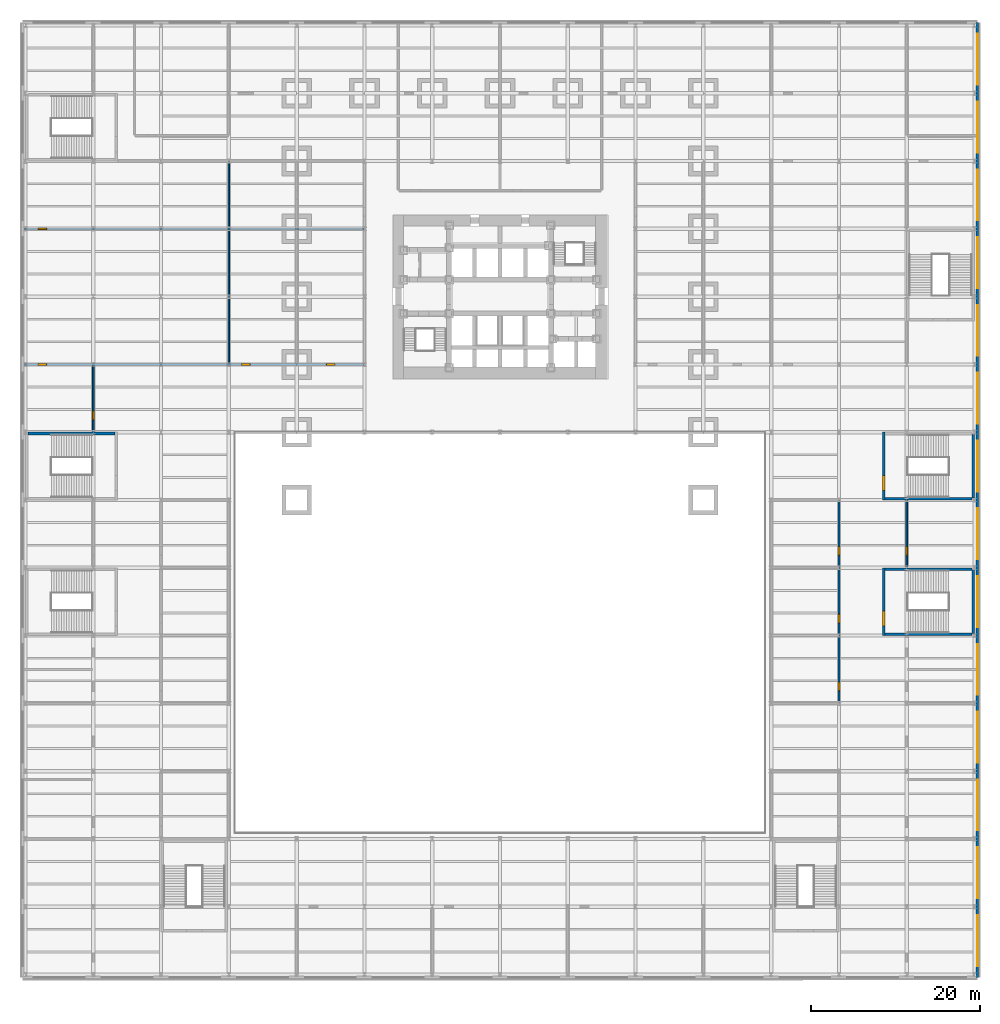
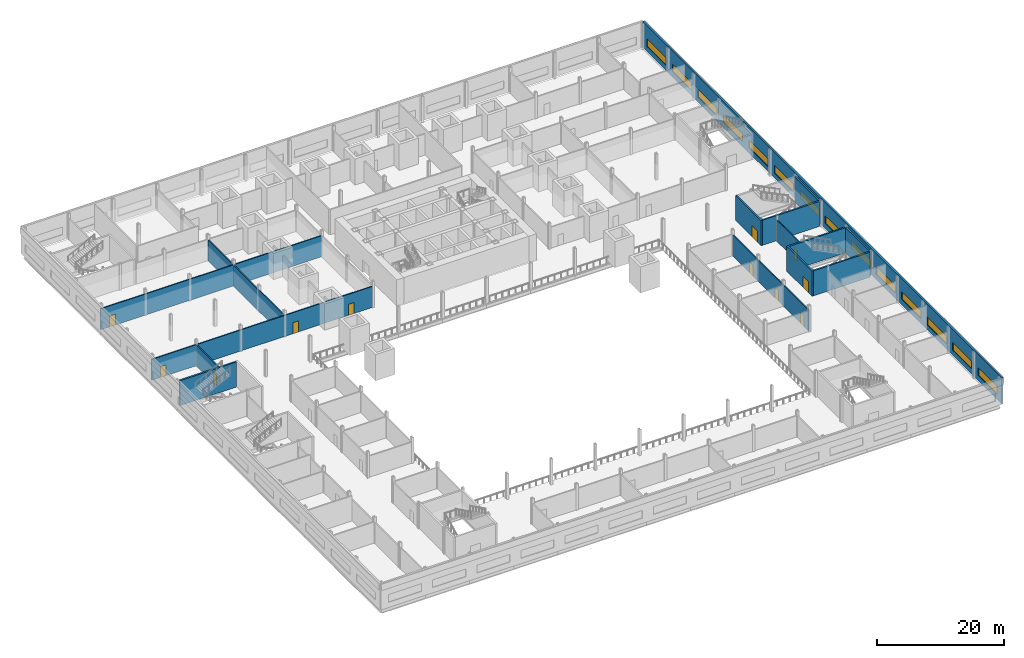
# One storey, part 10 of 18: 15 walls, 14 windows, 11 doors, 25 openings.
"""IFC4 building model written with IfcOpenShell, lengths in metres."""

from ifc_helpers import new_model, si_unit, direction, frame, frame_2d, origin, place, context, subcontext, project, spatial, rectangle, extrude, material, layer, layer_set, type_object, element, fill, save


model = new_model("IFC4")

# Units and contexts
model_context = context("Model", 3, precision=1e-05, world=origin(), true_north=direction((0.0, 1.0)))
body_context = subcontext(model_context, "Body", "Model", "MODEL_VIEW")
ifc_project = project(units=[si_unit("LENGTHUNIT", "METRE"), si_unit("AREAUNIT", "SQUARE_METRE"), si_unit("VOLUMEUNIT", "CUBIC_METRE"), si_unit("PLANEANGLEUNIT", "RADIAN"), si_unit("MASSUNIT", "GRAM", prefix="KILO")], contexts=[model_context])

# Site, building, storey
site_placement = place(None, origin())
site = spatial("IfcSite", under=ifc_project, at=site_placement, CompositionType="ELEMENT")
building_placement = place(site_placement, origin())
building = spatial("IfcBuilding", under=site, at=building_placement, Name="Daluyong Arena Tower", CompositionType="ELEMENT")
storey_placement = place(building_placement, frame((0.0, 0.0, 4.89990234375)))
storey = spatial("IfcBuildingStorey", under=building, at=storey_placement, Name="L01", CompositionType="ELEMENT", Elevation=4.89990234375)

# Wall, openings, doors
ifc_material_1 = material(Name="Concrete block partition", Category="concrete")
ifc_layer_1 = layer(ifc_material_1, 0.199951171875)
ifc_layer_set_1 = layer_set([ifc_layer_1], Name="Concrete block partition")
wall_type_1 = type_object("IfcWallType", Name="Partition 200", PredefinedType="PARTITIONING", material=ifc_layer_set_1)
wall_1_placement = place(storey_placement, frame((-0.14990234375, 72.0, 0.0), z_axis=(0.0, 0.0, 1.0), x_axis=(1.0, 0.0, 0.0)))
wall_1 = element("IfcWall", 1, at=wall_1_placement, inside=storey, type_object=wall_type_1, Name="partition at L01", PredefinedType="PARTITIONING", context=body_context, shape_type="SweptSolid", body=[
    extrude(rectangle(XDim=40.0498046875, YDim=0.199951171875, at=frame_2d((20.02490234375, 0.0))), origin(), (0.0, 0.0, 1.0), 4.02783203125),
])
opening_1_placement = place(wall_1_placement, frame((1.64990234375, 0.0, 0.0)))
opening_1 = element("IfcOpeningElement", 2, at=opening_1_placement, cuts=wall_1, Name="Opening 01047", PredefinedType="OPENING", context=body_context, shape_type="SweptSolid", body=[
    extrude(rectangle(XDim=1.0, YDim=2.10009765625, at=frame_2d((0.5, 1.050048828125))), frame((0.0, 0.10986328125, 0.0), z_axis=(0.0, -1.0, 0.0), x_axis=(1.0, 0.0, 0.0)), (0.0, 0.0, 1.0), 0.219970703125),
])
opening_2_placement = place(wall_1_placement, frame((25.64990234375, 0.0, 0.0)))
opening_2 = element("IfcOpeningElement", 3, at=opening_2_placement, cuts=wall_1, Name="Opening 01049", PredefinedType="OPENING", context=body_context, shape_type="SweptSolid", body=[
    extrude(rectangle(XDim=1.0, YDim=2.10009765625, at=frame_2d((0.5, 1.050048828125))), frame((0.0, 0.10986328125, 0.0), z_axis=(0.0, -1.0, 0.0), x_axis=(1.0, 0.0, 0.0)), (0.0, 0.0, 1.0), 0.219970703125),
])
opening_3_placement = place(wall_1_placement, frame((35.64990234375, 0.0, 0.0)))
opening_3 = element("IfcOpeningElement", 4, at=opening_3_placement, cuts=wall_1, Name="Opening 01050", PredefinedType="OPENING", context=body_context, shape_type="SweptSolid", body=[
    extrude(rectangle(XDim=1.0, YDim=2.10009765625, at=frame_2d((0.5, 1.050048828125))), frame((0.0, 0.10986328125, 0.0), z_axis=(0.0, -1.0, 0.0), x_axis=(1.0, 0.0, 0.0)), (0.0, 0.0, 1.0), 0.219970703125),
])
ifc_material_2 = material(Name="Timber door", Category="wood")
door_type_1 = type_object("IfcDoorType", Name="Room door 1000", OperationType="SINGLE_SWING_LEFT", PredefinedType="DOOR", material=ifc_material_2)
door_1_placement = place(opening_1_placement, origin())
door_1 = element("IfcDoor", 5, at=door_1_placement, inside=storey, type_object=door_type_1, Name="arena management office door 01047", OperationType="SINGLE_SWING_LEFT", OverallHeight=2.10009765625, OverallWidth=1.0, PredefinedType="DOOR", context=body_context, shape_type="SweptSolid", body=[
    extrude(rectangle(XDim=1.0, YDim=2.10009765625, at=frame_2d((0.5, 1.050048828125))), frame((0.0, 0.099609375, 0.0), z_axis=(0.0, -1.0, 0.0), x_axis=(1.0, 0.0, 0.0)), (0.0, 0.0, 1.0), 0.199462890625),
])
fill(opening_1, door_1)
door_2_placement = place(opening_2_placement, origin())
door_2 = element("IfcDoor", 6, at=door_2_placement, inside=storey, type_object=door_type_1, Name="arena administration office door 01049", OperationType="SINGLE_SWING_LEFT", OverallHeight=2.10009765625, OverallWidth=1.0, PredefinedType="DOOR", context=body_context, shape_type="SweptSolid", body=[
    extrude(rectangle(XDim=1.0, YDim=2.10009765625, at=frame_2d((0.5, 1.050048828125))), frame((0.0, 0.099609375, 0.0), z_axis=(0.0, -1.0, 0.0), x_axis=(1.0, 0.0, 0.0)), (0.0, 0.0, 1.0), 0.199462890625),
])
fill(opening_2, door_2)
door_3_placement = place(opening_3_placement, origin())
door_3 = element("IfcDoor", 7, at=door_3_placement, inside=storey, type_object=door_type_1, Name="arena administration office door 01050", OperationType="SINGLE_SWING_LEFT", OverallHeight=2.10009765625, OverallWidth=1.0, PredefinedType="DOOR", context=body_context, shape_type="SweptSolid", body=[
    extrude(rectangle(XDim=1.0, YDim=2.10009765625, at=frame_2d((0.5, 1.050048828125))), frame((0.0, 0.099609375, 0.0), z_axis=(0.0, -1.0, 0.0), x_axis=(1.0, 0.0, 0.0)), (0.0, 0.0, 1.0), 0.199462890625),
])
fill(opening_3, door_3)

# Wall, opening, door
wall_2_placement = place(storey_placement, frame((-0.14990234375, 88.0, 0.0), z_axis=(0.0, 0.0, 1.0), x_axis=(1.0, 0.0, 0.0)))
wall_2 = element("IfcWall", 8, at=wall_2_placement, inside=storey, type_object=wall_type_1, Name="partition at L01", PredefinedType="PARTITIONING", context=body_context, shape_type="SweptSolid", body=[
    extrude(rectangle(XDim=40.0498046875, YDim=0.199951171875, at=frame_2d((20.02490234375, 0.0))), origin(), (0.0, 0.0, 1.0), 4.02783203125),
])
opening_4_placement = place(wall_2_placement, frame((1.64990234375, 0.0, 0.0)))
opening_4 = element("IfcOpeningElement", 9, at=opening_4_placement, cuts=wall_2, Name="Opening 01048", PredefinedType="OPENING", context=body_context, shape_type="SweptSolid", body=[
    extrude(rectangle(XDim=1.0, YDim=2.10009765625, at=frame_2d((0.5, 1.050048828125))), frame((0.0, 0.10986328125, 0.0), z_axis=(0.0, -1.0, 0.0), x_axis=(1.0, 0.0, 0.0)), (0.0, 0.0, 1.0), 0.219970703125),
])
door_4_placement = place(opening_4_placement, origin())
door_4 = element("IfcDoor", 10, at=door_4_placement, inside=storey, type_object=door_type_1, Name="arena finance office door 01048", OperationType="SINGLE_SWING_LEFT", OverallHeight=2.10009765625, OverallWidth=1.0, PredefinedType="DOOR", context=body_context, shape_type="SweptSolid", body=[
    extrude(rectangle(XDim=1.0, YDim=2.10009765625, at=frame_2d((0.5, 1.050048828125))), frame((0.0, 0.099609375, 0.0), z_axis=(0.0, -1.0, 0.0), x_axis=(1.0, 0.0, 0.0)), (0.0, 0.0, 1.0), 0.199462890625),
])
fill(opening_4, door_4)

wall_3_placement = place(storey_placement, frame((8.0, 64.10009765625, 0.0), z_axis=(0.0, 0.0, 1.0), x_axis=(0.0, 1.0, 0.0)))
wall_3 = element("IfcWall", 11, at=wall_3_placement, inside=storey, type_object=wall_type_1, Name="partition at L01", PredefinedType="PARTITIONING", context=body_context, shape_type="SweptSolid", body=[
    extrude(rectangle(XDim=7.7998046875, YDim=0.199951171875, at=frame_2d((3.89990234375, 0.0))), origin(), (0.0, 0.0, 1.0), 4.02783203125),
])
opening_5_placement = place(wall_3_placement, frame((1.39990234375, 0.0, 0.0)))
opening_5 = element("IfcOpeningElement", 12, at=opening_5_placement, cuts=wall_3, Name="Opening 01046", PredefinedType="OPENING", context=body_context, shape_type="SweptSolid", body=[
    extrude(rectangle(XDim=1.0, YDim=2.10009765625, at=frame_2d((0.5, 1.050048828125))), frame((0.0, 0.10986328125, 0.0), z_axis=(0.0, -1.0, 0.0), x_axis=(1.0, 0.0, 0.0)), (0.0, 0.0, 1.0), 0.219970703125),
])
door_5_placement = place(opening_5_placement, origin())
door_5 = element("IfcDoor", 13, at=door_5_placement, inside=storey, type_object=door_type_1, Name="first aid room door 01046", OperationType="SINGLE_SWING_LEFT", OverallHeight=2.10009765625, OverallWidth=1.0, PredefinedType="DOOR", context=body_context, shape_type="SweptSolid", body=[
    extrude(rectangle(XDim=1.0, YDim=2.10009765625, at=frame_2d((0.5, 1.050048828125))), frame((0.0, 0.099609375, 0.0), z_axis=(0.0, -1.0, 0.0), x_axis=(1.0, 0.0, 0.0)), (0.0, 0.0, 1.0), 0.199462890625),
])
fill(opening_5, door_5)

# Wall
wall_4_placement = place(storey_placement, frame((24.0, 72.10009765625, 0.0), z_axis=(0.0, 0.0, 1.0), x_axis=(0.0, 1.0, 0.0)))
element("IfcWall", 14, at=wall_4_placement, inside=storey, type_object=wall_type_1, Name="partition at L01", PredefinedType="PARTITIONING", context=body_context, shape_type="SweptSolid", body=[
    extrude(rectangle(XDim=23.7998046875, YDim=0.199951171875, at=frame_2d((11.89990234375, 0.0))), origin(), (0.0, 0.0, 1.0), 4.02783203125),
])

# Wall, openings, doors
wall_5_placement = place(storey_placement, frame((96.0, 32.10009765625, 0.0), z_axis=(0.0, 0.0, 1.0), x_axis=(0.0, 1.0, 0.0)))
wall_5 = element("IfcWall", 15, at=wall_5_placement, inside=storey, type_object=wall_type_1, Name="partition at L01", PredefinedType="PARTITIONING", context=body_context, shape_type="SweptSolid", body=[
    extrude(rectangle(XDim=23.7998046875, YDim=0.199951171875, at=frame_2d((11.89990234375, 0.0))), origin(), (0.0, 0.0, 1.0), 4.02783203125),
])
opening_6_placement = place(wall_5_placement, frame((1.39990234375, 0.0, 0.0)))
opening_6 = element("IfcOpeningElement", 16, at=opening_6_placement, cuts=wall_5, Name="Opening 01036", PredefinedType="OPENING", context=body_context, shape_type="SweptSolid", body=[
    extrude(rectangle(XDim=1.0, YDim=2.10009765625, at=frame_2d((0.5, 1.050048828125))), frame((0.0, 0.10986328125, 0.0), z_axis=(0.0, -1.0, 0.0), x_axis=(1.0, 0.0, 0.0)), (0.0, 0.0, 1.0), 0.219970703125),
])
opening_7_placement = place(wall_5_placement, frame((9.39990234375, 0.0, 0.0)))
opening_7 = element("IfcOpeningElement", 17, at=opening_7_placement, cuts=wall_5, Name="Opening 01037", PredefinedType="OPENING", context=body_context, shape_type="SweptSolid", body=[
    extrude(rectangle(XDim=1.0, YDim=2.10009765625, at=frame_2d((0.5, 1.050048828125))), frame((0.0, 0.10986328125, 0.0), z_axis=(0.0, -1.0, 0.0), x_axis=(1.0, 0.0, 0.0)), (0.0, 0.0, 1.0), 0.219970703125),
])
opening_8_placement = place(wall_5_placement, frame((17.39990234375, 0.0, 0.0)))
opening_8 = element("IfcOpeningElement", 18, at=opening_8_placement, cuts=wall_5, Name="Opening 01038", PredefinedType="OPENING", context=body_context, shape_type="SweptSolid", body=[
    extrude(rectangle(XDim=1.0, YDim=2.10009765625, at=frame_2d((0.5, 1.050048828125))), frame((0.0, 0.10986328125, 0.0), z_axis=(0.0, -1.0, 0.0), x_axis=(1.0, 0.0, 0.0)), (0.0, 0.0, 1.0), 0.219970703125),
])
door_6_placement = place(opening_6_placement, origin())
door_6 = element("IfcDoor", 19, at=door_6_placement, inside=storey, type_object=door_type_1, Name="merchandise shop door 01036", OperationType="SINGLE_SWING_LEFT", OverallHeight=2.10009765625, OverallWidth=1.0, PredefinedType="DOOR", context=body_context, shape_type="SweptSolid", body=[
    extrude(rectangle(XDim=1.0, YDim=2.10009765625, at=frame_2d((0.5, 1.050048828125))), frame((0.0, 0.099609375, 0.0), z_axis=(0.0, -1.0, 0.0), x_axis=(1.0, 0.0, 0.0)), (0.0, 0.0, 1.0), 0.199462890625),
])
fill(opening_6, door_6)
door_7_placement = place(opening_7_placement, origin())
door_7 = element("IfcDoor", 20, at=door_7_placement, inside=storey, type_object=door_type_1, Name="food and beverage kiosk door 01037", OperationType="SINGLE_SWING_LEFT", OverallHeight=2.10009765625, OverallWidth=1.0, PredefinedType="DOOR", context=body_context, shape_type="SweptSolid", body=[
    extrude(rectangle(XDim=1.0, YDim=2.10009765625, at=frame_2d((0.5, 1.050048828125))), frame((0.0, 0.099609375, 0.0), z_axis=(0.0, -1.0, 0.0), x_axis=(1.0, 0.0, 0.0)), (0.0, 0.0, 1.0), 0.199462890625),
])
fill(opening_7, door_7)
door_8_placement = place(opening_8_placement, origin())
door_8 = element("IfcDoor", 21, at=door_8_placement, inside=storey, type_object=door_type_1, Name="food and beverage kiosk door 01038", OperationType="SINGLE_SWING_LEFT", OverallHeight=2.10009765625, OverallWidth=1.0, PredefinedType="DOOR", context=body_context, shape_type="SweptSolid", body=[
    extrude(rectangle(XDim=1.0, YDim=2.10009765625, at=frame_2d((0.5, 1.050048828125))), frame((0.0, 0.099609375, 0.0), z_axis=(0.0, -1.0, 0.0), x_axis=(1.0, 0.0, 0.0)), (0.0, 0.0, 1.0), 0.199462890625),
])
fill(opening_8, door_8)

# Wall, opening, door
wall_6_placement = place(storey_placement, frame((104.0, 48.10009765625, 0.0), z_axis=(0.0, 0.0, 1.0), x_axis=(0.0, 1.0, 0.0)))
wall_6 = element("IfcWall", 22, at=wall_6_placement, inside=storey, type_object=wall_type_1, Name="partition at L01", PredefinedType="PARTITIONING", context=body_context, shape_type="SweptSolid", body=[
    extrude(rectangle(XDim=7.7998046875, YDim=0.199951171875, at=frame_2d((3.89990234375, 0.0))), origin(), (0.0, 0.0, 1.0), 4.02783203125),
])
opening_9_placement = place(wall_6_placement, frame((1.39990234375, 0.0, 0.0)))
opening_9 = element("IfcOpeningElement", 23, at=opening_9_placement, cuts=wall_6, Name="Opening 01042", PredefinedType="OPENING", context=body_context, shape_type="SweptSolid", body=[
    extrude(rectangle(XDim=1.0, YDim=2.10009765625, at=frame_2d((0.5, 1.050048828125))), frame((0.0, 0.10986328125, 0.0), z_axis=(0.0, -1.0, 0.0), x_axis=(1.0, 0.0, 0.0)), (0.0, 0.0, 1.0), 0.219970703125),
])
door_9_placement = place(opening_9_placement, origin())
door_9 = element("IfcDoor", 24, at=door_9_placement, inside=storey, type_object=door_type_1, Name="food and beverage kiosk door 01042", OperationType="SINGLE_SWING_LEFT", OverallHeight=2.10009765625, OverallWidth=1.0, PredefinedType="DOOR", context=body_context, shape_type="SweptSolid", body=[
    extrude(rectangle(XDim=1.0, YDim=2.10009765625, at=frame_2d((0.5, 1.050048828125))), frame((0.0, 0.099609375, 0.0), z_axis=(0.0, -1.0, 0.0), x_axis=(1.0, 0.0, 0.0)), (0.0, 0.0, 1.0), 0.199462890625),
])
fill(opening_9, door_9)

# Wall, openings, windows
ifc_material_3 = material(Name="Precast concrete fc' 45 MPa", Category="concrete")
ifc_layer_2 = layer(ifc_material_3, 0.300048828125)
ifc_layer_set_2 = layer_set([ifc_layer_2], Name="Precast concrete fc' 45 MPa")
wall_type_2 = type_object("IfcWallType", Name="Podium precast band wall 300", PredefinedType="SOLIDWALL", material=ifc_layer_set_2)
wall_7_placement = place(storey_placement, frame((112.35009765625, -0.35009765625, 0.0), z_axis=(0.0, 0.0, 1.0), x_axis=(0.0, 1.0, 0.0)))
wall_7 = element("IfcWall", 25, at=wall_7_placement, inside=storey, type_object=wall_type_2, Name="podium wall E L01", PredefinedType="SOLIDWALL", context=body_context, shape_type="SweptSolid", body=[
    extrude(rectangle(XDim=112.7001953125, YDim=0.300048828125, at=frame_2d((56.35009765625, 0.0))), origin(), (0.0, 0.0, 1.0), 5.0),
])
opening_10_placement = place(wall_7_placement, frame((1.35009765625, 0.0, 1.0)))
opening_10 = element("IfcOpeningElement", 26, at=opening_10_placement, cuts=wall_7, Name="Opening W1", PredefinedType="OPENING", context=body_context, shape_type="SweptSolid", body=[
    extrude(rectangle(XDim=6.0, YDim=1.5, at=frame_2d((3.0, 0.75))), frame((0.0, 0.159912109375, 0.0), z_axis=(0.0, -1.0, 0.0), x_axis=(1.0, 0.0, 0.0)), (0.0, 0.0, 1.0), 0.320068359375),
])
opening_11_placement = place(wall_7_placement, frame((9.35009765625, 0.0, 1.0)))
opening_11 = element("IfcOpeningElement", 27, at=opening_11_placement, cuts=wall_7, Name="Opening W1", PredefinedType="OPENING", context=body_context, shape_type="SweptSolid", body=[
    extrude(rectangle(XDim=6.0, YDim=1.5, at=frame_2d((3.0, 0.75))), frame((0.0, 0.159912109375, 0.0), z_axis=(0.0, -1.0, 0.0), x_axis=(1.0, 0.0, 0.0)), (0.0, 0.0, 1.0), 0.320068359375),
])
opening_12_placement = place(wall_7_placement, frame((17.35009765625, 0.0, 1.0)))
opening_12 = element("IfcOpeningElement", 28, at=opening_12_placement, cuts=wall_7, Name="Opening W1", PredefinedType="OPENING", context=body_context, shape_type="SweptSolid", body=[
    extrude(rectangle(XDim=6.0, YDim=1.5, at=frame_2d((3.0, 0.75))), frame((0.0, 0.159912109375, 0.0), z_axis=(0.0, -1.0, 0.0), x_axis=(1.0, 0.0, 0.0)), (0.0, 0.0, 1.0), 0.320068359375),
])
opening_13_placement = place(wall_7_placement, frame((25.35009765625, 0.0, 1.0)))
opening_13 = element("IfcOpeningElement", 29, at=opening_13_placement, cuts=wall_7, Name="Opening W1", PredefinedType="OPENING", context=body_context, shape_type="SweptSolid", body=[
    extrude(rectangle(XDim=6.0, YDim=1.5, at=frame_2d((3.0, 0.75))), frame((0.0, 0.159912109375, 0.0), z_axis=(0.0, -1.0, 0.0), x_axis=(1.0, 0.0, 0.0)), (0.0, 0.0, 1.0), 0.320068359375),
])
opening_14_placement = place(wall_7_placement, frame((33.35009765625, 0.0, 1.0)))
opening_14 = element("IfcOpeningElement", 30, at=opening_14_placement, cuts=wall_7, Name="Opening W1", PredefinedType="OPENING", context=body_context, shape_type="SweptSolid", body=[
    extrude(rectangle(XDim=6.0, YDim=1.5, at=frame_2d((3.0, 0.75))), frame((0.0, 0.159912109375, 0.0), z_axis=(0.0, -1.0, 0.0), x_axis=(1.0, 0.0, 0.0)), (0.0, 0.0, 1.0), 0.320068359375),
])
opening_15_placement = place(wall_7_placement, frame((41.35009765625, 0.0, 1.0)))
opening_15 = element("IfcOpeningElement", 31, at=opening_15_placement, cuts=wall_7, Name="Opening W1", PredefinedType="OPENING", context=body_context, shape_type="SweptSolid", body=[
    extrude(rectangle(XDim=6.0, YDim=1.5, at=frame_2d((3.0, 0.75))), frame((0.0, 0.159912109375, 0.0), z_axis=(0.0, -1.0, 0.0), x_axis=(1.0, 0.0, 0.0)), (0.0, 0.0, 1.0), 0.320068359375),
])
opening_16_placement = place(wall_7_placement, frame((49.35009765625, 0.0, 1.0)))
opening_16 = element("IfcOpeningElement", 32, at=opening_16_placement, cuts=wall_7, Name="Opening W1", PredefinedType="OPENING", context=body_context, shape_type="SweptSolid", body=[
    extrude(rectangle(XDim=6.0, YDim=1.5, at=frame_2d((3.0, 0.75))), frame((0.0, 0.159912109375, 0.0), z_axis=(0.0, -1.0, 0.0), x_axis=(1.0, 0.0, 0.0)), (0.0, 0.0, 1.0), 0.320068359375),
])
opening_17_placement = place(wall_7_placement, frame((57.35009765625, 0.0, 1.0)))
opening_17 = element("IfcOpeningElement", 33, at=opening_17_placement, cuts=wall_7, Name="Opening W1", PredefinedType="OPENING", context=body_context, shape_type="SweptSolid", body=[
    extrude(rectangle(XDim=6.0, YDim=1.5, at=frame_2d((3.0, 0.75))), frame((0.0, 0.159912109375, 0.0), z_axis=(0.0, -1.0, 0.0), x_axis=(1.0, 0.0, 0.0)), (0.0, 0.0, 1.0), 0.320068359375),
])
opening_18_placement = place(wall_7_placement, frame((65.35009765625, 0.0, 1.0)))
opening_18 = element("IfcOpeningElement", 34, at=opening_18_placement, cuts=wall_7, Name="Opening W1", PredefinedType="OPENING", context=body_context, shape_type="SweptSolid", body=[
    extrude(rectangle(XDim=6.0, YDim=1.5, at=frame_2d((3.0, 0.75))), frame((0.0, 0.159912109375, 0.0), z_axis=(0.0, -1.0, 0.0), x_axis=(1.0, 0.0, 0.0)), (0.0, 0.0, 1.0), 0.320068359375),
])
opening_19_placement = place(wall_7_placement, frame((73.35009765625, 0.0, 1.0)))
opening_19 = element("IfcOpeningElement", 35, at=opening_19_placement, cuts=wall_7, Name="Opening W1", PredefinedType="OPENING", context=body_context, shape_type="SweptSolid", body=[
    extrude(rectangle(XDim=6.0, YDim=1.5, at=frame_2d((3.0, 0.75))), frame((0.0, 0.159912109375, 0.0), z_axis=(0.0, -1.0, 0.0), x_axis=(1.0, 0.0, 0.0)), (0.0, 0.0, 1.0), 0.320068359375),
])
opening_20_placement = place(wall_7_placement, frame((81.35009765625, 0.0, 1.0)))
opening_20 = element("IfcOpeningElement", 36, at=opening_20_placement, cuts=wall_7, Name="Opening W1", PredefinedType="OPENING", context=body_context, shape_type="SweptSolid", body=[
    extrude(rectangle(XDim=6.0, YDim=1.5, at=frame_2d((3.0, 0.75))), frame((0.0, 0.159912109375, 0.0), z_axis=(0.0, -1.0, 0.0), x_axis=(1.0, 0.0, 0.0)), (0.0, 0.0, 1.0), 0.320068359375),
])
opening_21_placement = place(wall_7_placement, frame((89.35009765625, 0.0, 1.0)))
opening_21 = element("IfcOpeningElement", 37, at=opening_21_placement, cuts=wall_7, Name="Opening W1", PredefinedType="OPENING", context=body_context, shape_type="SweptSolid", body=[
    extrude(rectangle(XDim=6.0, YDim=1.5, at=frame_2d((3.0, 0.75))), frame((0.0, 0.159912109375, 0.0), z_axis=(0.0, -1.0, 0.0), x_axis=(1.0, 0.0, 0.0)), (0.0, 0.0, 1.0), 0.320068359375),
])
opening_22_placement = place(wall_7_placement, frame((97.35009765625, 0.0, 1.0)))
opening_22 = element("IfcOpeningElement", 38, at=opening_22_placement, cuts=wall_7, Name="Opening W1", PredefinedType="OPENING", context=body_context, shape_type="SweptSolid", body=[
    extrude(rectangle(XDim=6.0, YDim=1.5, at=frame_2d((3.0, 0.75))), frame((0.0, 0.159912109375, 0.0), z_axis=(0.0, -1.0, 0.0), x_axis=(1.0, 0.0, 0.0)), (0.0, 0.0, 1.0), 0.320068359375),
])
opening_23_placement = place(wall_7_placement, frame((105.35009765625, 0.0, 1.0)))
opening_23 = element("IfcOpeningElement", 39, at=opening_23_placement, cuts=wall_7, Name="Opening W1", PredefinedType="OPENING", context=body_context, shape_type="SweptSolid", body=[
    extrude(rectangle(XDim=6.0, YDim=1.5, at=frame_2d((3.0, 0.75))), frame((0.0, 0.159912109375, 0.0), z_axis=(0.0, -1.0, 0.0), x_axis=(1.0, 0.0, 0.0)), (0.0, 0.0, 1.0), 0.320068359375),
])
ifc_material_4 = material(Name="Bronze aluminium window, tinted glass", Category="aluminium")
window_type = type_object("IfcWindowType", Name="Ribbon window 6000x1500", PartitioningType="TRIPLE_PANEL_HORIZONTAL", PredefinedType="WINDOW", material=ifc_material_4)
window_1_placement = place(opening_10_placement, origin())
window_1 = element("IfcWindow", 40, at=window_1_placement, inside=storey, type_object=window_type, Name="ribbon window E", OverallHeight=1.5, OverallWidth=6.0, PartitioningType="SINGLE_PANEL", PredefinedType="WINDOW", context=body_context, shape_type="SweptSolid", body=[
    extrude(rectangle(XDim=6.0, YDim=1.5, at=frame_2d((3.0, 0.75))), frame((0.0, 0.030029296875, 0.0), z_axis=(0.0, -1.0, 0.0), x_axis=(1.0, 0.0, 0.0)), (0.0, 0.0, 1.0), 0.06005859375),
])
fill(opening_10, window_1)
window_2_placement = place(opening_11_placement, origin())
window_2 = element("IfcWindow", 41, at=window_2_placement, inside=storey, type_object=window_type, Name="ribbon window E", OverallHeight=1.5, OverallWidth=6.0, PartitioningType="SINGLE_PANEL", PredefinedType="WINDOW", context=body_context, shape_type="SweptSolid", body=[
    extrude(rectangle(XDim=6.0, YDim=1.5, at=frame_2d((3.0, 0.75))), frame((0.0, 0.030029296875, 0.0), z_axis=(0.0, -1.0, 0.0), x_axis=(1.0, 0.0, 0.0)), (0.0, 0.0, 1.0), 0.06005859375),
])
fill(opening_11, window_2)
window_3_placement = place(opening_12_placement, origin())
window_3 = element("IfcWindow", 42, at=window_3_placement, inside=storey, type_object=window_type, Name="ribbon window E", OverallHeight=1.5, OverallWidth=6.0, PartitioningType="SINGLE_PANEL", PredefinedType="WINDOW", context=body_context, shape_type="SweptSolid", body=[
    extrude(rectangle(XDim=6.0, YDim=1.5, at=frame_2d((3.0, 0.75))), frame((0.0, 0.030029296875, 0.0), z_axis=(0.0, -1.0, 0.0), x_axis=(1.0, 0.0, 0.0)), (0.0, 0.0, 1.0), 0.06005859375),
])
fill(opening_12, window_3)
window_4_placement = place(opening_13_placement, origin())
window_4 = element("IfcWindow", 43, at=window_4_placement, inside=storey, type_object=window_type, Name="ribbon window E", OverallHeight=1.5, OverallWidth=6.0, PartitioningType="SINGLE_PANEL", PredefinedType="WINDOW", context=body_context, shape_type="SweptSolid", body=[
    extrude(rectangle(XDim=6.0, YDim=1.5, at=frame_2d((3.0, 0.75))), frame((0.0, 0.030029296875, 0.0), z_axis=(0.0, -1.0, 0.0), x_axis=(1.0, 0.0, 0.0)), (0.0, 0.0, 1.0), 0.06005859375),
])
fill(opening_13, window_4)
window_5_placement = place(opening_14_placement, origin())
window_5 = element("IfcWindow", 44, at=window_5_placement, inside=storey, type_object=window_type, Name="ribbon window E", OverallHeight=1.5, OverallWidth=6.0, PartitioningType="SINGLE_PANEL", PredefinedType="WINDOW", context=body_context, shape_type="SweptSolid", body=[
    extrude(rectangle(XDim=6.0, YDim=1.5, at=frame_2d((3.0, 0.75))), frame((0.0, 0.030029296875, 0.0), z_axis=(0.0, -1.0, 0.0), x_axis=(1.0, 0.0, 0.0)), (0.0, 0.0, 1.0), 0.06005859375),
])
fill(opening_14, window_5)
window_6_placement = place(opening_15_placement, origin())
window_6 = element("IfcWindow", 45, at=window_6_placement, inside=storey, type_object=window_type, Name="ribbon window E", OverallHeight=1.5, OverallWidth=6.0, PartitioningType="SINGLE_PANEL", PredefinedType="WINDOW", context=body_context, shape_type="SweptSolid", body=[
    extrude(rectangle(XDim=6.0, YDim=1.5, at=frame_2d((3.0, 0.75))), frame((0.0, 0.030029296875, 0.0), z_axis=(0.0, -1.0, 0.0), x_axis=(1.0, 0.0, 0.0)), (0.0, 0.0, 1.0), 0.06005859375),
])
fill(opening_15, window_6)
window_7_placement = place(opening_16_placement, origin())
window_7 = element("IfcWindow", 46, at=window_7_placement, inside=storey, type_object=window_type, Name="ribbon window E", OverallHeight=1.5, OverallWidth=6.0, PartitioningType="SINGLE_PANEL", PredefinedType="WINDOW", context=body_context, shape_type="SweptSolid", body=[
    extrude(rectangle(XDim=6.0, YDim=1.5, at=frame_2d((3.0, 0.75))), frame((0.0, 0.030029296875, 0.0), z_axis=(0.0, -1.0, 0.0), x_axis=(1.0, 0.0, 0.0)), (0.0, 0.0, 1.0), 0.06005859375),
])
fill(opening_16, window_7)
window_8_placement = place(opening_17_placement, origin())
window_8 = element("IfcWindow", 47, at=window_8_placement, inside=storey, type_object=window_type, Name="ribbon window E", OverallHeight=1.5, OverallWidth=6.0, PartitioningType="SINGLE_PANEL", PredefinedType="WINDOW", context=body_context, shape_type="SweptSolid", body=[
    extrude(rectangle(XDim=6.0, YDim=1.5, at=frame_2d((3.0, 0.75))), frame((0.0, 0.030029296875, 0.0), z_axis=(0.0, -1.0, 0.0), x_axis=(1.0, 0.0, 0.0)), (0.0, 0.0, 1.0), 0.06005859375),
])
fill(opening_17, window_8)
window_9_placement = place(opening_18_placement, origin())
window_9 = element("IfcWindow", 48, at=window_9_placement, inside=storey, type_object=window_type, Name="ribbon window E", OverallHeight=1.5, OverallWidth=6.0, PartitioningType="SINGLE_PANEL", PredefinedType="WINDOW", context=body_context, shape_type="SweptSolid", body=[
    extrude(rectangle(XDim=6.0, YDim=1.5, at=frame_2d((3.0, 0.75))), frame((0.0, 0.030029296875, 0.0), z_axis=(0.0, -1.0, 0.0), x_axis=(1.0, 0.0, 0.0)), (0.0, 0.0, 1.0), 0.06005859375),
])
fill(opening_18, window_9)
window_10_placement = place(opening_19_placement, origin())
window_10 = element("IfcWindow", 49, at=window_10_placement, inside=storey, type_object=window_type, Name="ribbon window E", OverallHeight=1.5, OverallWidth=6.0, PartitioningType="SINGLE_PANEL", PredefinedType="WINDOW", context=body_context, shape_type="SweptSolid", body=[
    extrude(rectangle(XDim=6.0, YDim=1.5, at=frame_2d((3.0, 0.75))), frame((0.0, 0.030029296875, 0.0), z_axis=(0.0, -1.0, 0.0), x_axis=(1.0, 0.0, 0.0)), (0.0, 0.0, 1.0), 0.06005859375),
])
fill(opening_19, window_10)
window_11_placement = place(opening_20_placement, origin())
window_11 = element("IfcWindow", 50, at=window_11_placement, inside=storey, type_object=window_type, Name="ribbon window E", OverallHeight=1.5, OverallWidth=6.0, PartitioningType="SINGLE_PANEL", PredefinedType="WINDOW", context=body_context, shape_type="SweptSolid", body=[
    extrude(rectangle(XDim=6.0, YDim=1.5, at=frame_2d((3.0, 0.75))), frame((0.0, 0.030029296875, 0.0), z_axis=(0.0, -1.0, 0.0), x_axis=(1.0, 0.0, 0.0)), (0.0, 0.0, 1.0), 0.06005859375),
])
fill(opening_20, window_11)
window_12_placement = place(opening_21_placement, origin())
window_12 = element("IfcWindow", 51, at=window_12_placement, inside=storey, type_object=window_type, Name="ribbon window E", OverallHeight=1.5, OverallWidth=6.0, PartitioningType="SINGLE_PANEL", PredefinedType="WINDOW", context=body_context, shape_type="SweptSolid", body=[
    extrude(rectangle(XDim=6.0, YDim=1.5, at=frame_2d((3.0, 0.75))), frame((0.0, 0.030029296875, 0.0), z_axis=(0.0, -1.0, 0.0), x_axis=(1.0, 0.0, 0.0)), (0.0, 0.0, 1.0), 0.06005859375),
])
fill(opening_21, window_12)
window_13_placement = place(opening_22_placement, origin())
window_13 = element("IfcWindow", 52, at=window_13_placement, inside=storey, type_object=window_type, Name="ribbon window E", OverallHeight=1.5, OverallWidth=6.0, PartitioningType="SINGLE_PANEL", PredefinedType="WINDOW", context=body_context, shape_type="SweptSolid", body=[
    extrude(rectangle(XDim=6.0, YDim=1.5, at=frame_2d((3.0, 0.75))), frame((0.0, 0.030029296875, 0.0), z_axis=(0.0, -1.0, 0.0), x_axis=(1.0, 0.0, 0.0)), (0.0, 0.0, 1.0), 0.06005859375),
])
fill(opening_22, window_13)
window_14_placement = place(opening_23_placement, origin())
window_14 = element("IfcWindow", 53, at=window_14_placement, inside=storey, type_object=window_type, Name="ribbon window E", OverallHeight=1.5, OverallWidth=6.0, PartitioningType="SINGLE_PANEL", PredefinedType="WINDOW", context=body_context, shape_type="SweptSolid", body=[
    extrude(rectangle(XDim=6.0, YDim=1.5, at=frame_2d((3.0, 0.75))), frame((0.0, 0.030029296875, 0.0), z_axis=(0.0, -1.0, 0.0), x_axis=(1.0, 0.0, 0.0)), (0.0, 0.0, 1.0), 0.06005859375),
])
fill(opening_23, window_14)

# Wall, opening, door
ifc_material_5 = material(Name="Concrete fc' 35 MPa", Category="concrete")
ifc_layer_3 = layer(ifc_material_5, 0.300048828125)
ifc_layer_set_3 = layer_set([ifc_layer_3], Name="Concrete fc' 35 MPa")
wall_type_3 = type_object("IfcWallType", Name="Stair enclosure wall 300", PredefinedType="SOLIDWALL", material=ifc_layer_set_3)
wall_8_placement = place(storey_placement, frame((101.300048828125, 40.0, 0.0), z_axis=(0.0, 0.0, 1.0), x_axis=(0.0, 1.0, 0.0)))
wall_8 = element("IfcWall", 54, at=wall_8_placement, inside=storey, type_object=wall_type_3, Name="exit stair PS4 enclosure", PredefinedType="SOLIDWALL", context=body_context, shape_type="SweptSolid", body=[
    extrude(rectangle(XDim=8.0, YDim=0.300048828125, at=frame_2d((4.0, 0.0))), origin(), (0.0, 0.0, 1.0), 4.800048828125),
])
opening_24_placement = place(wall_8_placement, frame((1.10009765625, 0.0, 0.0)))
opening_24 = element("IfcOpeningElement", 55, at=opening_24_placement, cuts=wall_8, Name="Opening 01018", PredefinedType="OPENING", context=body_context, shape_type="SweptSolid", body=[
    extrude(rectangle(XDim=1.800048828125, YDim=2.10009765625, at=frame_2d((0.89990234375, 1.050048828125))), frame((0.0, 0.159912109375, 0.0), z_axis=(0.0, -1.0, 0.0), x_axis=(1.0, 0.0, 0.0)), (0.0, 0.0, 1.0), 0.320068359375),
])
ifc_material_6 = material(Name="Steel door, fire rated", Category="steel")
door_type_2 = type_object("IfcDoorType", Name="Exit stair double door 1800", OperationType="DOUBLE_DOOR_SINGLE_SWING", PredefinedType="DOOR", material=ifc_material_6)
door_10_placement = place(opening_24_placement, origin())
door_10 = element("IfcDoor", 56, at=door_10_placement, inside=storey, type_object=door_type_2, Name="exit stair PS4 door 01018", OperationType="DOUBLE_DOOR_SINGLE_SWING", OverallHeight=2.10009765625, OverallWidth=1.800048828125, PredefinedType="DOOR", context=body_context, shape_type="SweptSolid", body=[
    extrude(rectangle(XDim=1.800048828125, YDim=2.10009765625, at=frame_2d((0.89990234375, 1.050048828125))), frame((0.0, 0.14990234375, 0.0), z_axis=(0.0, -1.0, 0.0), x_axis=(1.0, 0.0, 0.0)), (0.0, 0.0, 1.0), 0.299560546875),
])
fill(opening_24, door_10)

# Walls
wall_9_placement = place(storey_placement, frame((111.85009765625, 40.227294921875, 0.0), z_axis=(0.0, 0.0, 1.0), x_axis=(0.0, 1.0, 0.0)))
element("IfcWall", 57, at=wall_9_placement, inside=storey, type_object=wall_type_3, Name="exit stair PS4 enclosure", PredefinedType="SOLIDWALL", context=body_context, shape_type="SweptSolid", body=[
    extrude(rectangle(XDim=7.54541015625, YDim=0.300048828125, at=frame_2d((3.772705078125, 0.0))), origin(), (0.0, 0.0, 1.0), 4.800048828125),
])
for number, where, z_axis, x_axis, name in (
    (58, (101.449951171875, 40.14990234375, 0.0), (0.0, 0.0, 1.0), (1.0, 0.0, 0.0), "exit stair PS4 enclosure"),
    (59, (101.449951171875, 47.85009765625, 0.0), (0.0, 0.0, 1.0), (1.0, 0.0, 0.0), "exit stair PS4 enclosure"),
    (60, (0.300048828125, 63.85009765625, 0.0), (0.0, 0.0, 1.0), (1.0, 0.0, 0.0), "exit stair PS7 enclosure"),
):
    element("IfcWall", number, at=place(storey_placement, frame(where, z_axis=z_axis, x_axis=x_axis)), inside=storey, type_object=wall_type_3, Name=name, PredefinedType="SOLIDWALL", context=body_context, shape_type="SweptSolid", body=[
        extrude(rectangle(XDim=10.25, YDim=0.300048828125, at=frame_2d((5.125, 0.0))), origin(), (0.0, 0.0, 1.0), 4.800048828125),
    ])

# Wall, opening, door
wall_10_placement = place(storey_placement, frame((101.300048828125, 56.0, 0.0), z_axis=(0.0, 0.0, 1.0), x_axis=(0.0, 1.0, 0.0)))
wall_10 = element("IfcWall", 61, at=wall_10_placement, inside=storey, type_object=wall_type_3, Name="exit stair PS8 enclosure", PredefinedType="SOLIDWALL", context=body_context, shape_type="SweptSolid", body=[
    extrude(rectangle(XDim=8.0, YDim=0.300048828125, at=frame_2d((4.0, 0.0))), origin(), (0.0, 0.0, 1.0), 4.800048828125),
])
opening_25_placement = place(wall_10_placement, frame((1.10009765625, 0.0, 0.0)))
opening_25 = element("IfcOpeningElement", 62, at=opening_25_placement, cuts=wall_10, Name="Opening 01022", PredefinedType="OPENING", context=body_context, shape_type="SweptSolid", body=[
    extrude(rectangle(XDim=1.800048828125, YDim=2.10009765625, at=frame_2d((0.89990234375, 1.050048828125))), frame((0.0, 0.159912109375, 0.0), z_axis=(0.0, -1.0, 0.0), x_axis=(1.0, 0.0, 0.0)), (0.0, 0.0, 1.0), 0.320068359375),
])
door_11_placement = place(opening_25_placement, origin())
door_11 = element("IfcDoor", 63, at=door_11_placement, inside=storey, type_object=door_type_2, Name="exit stair PS8 door 01022", OperationType="DOUBLE_DOOR_SINGLE_SWING", OverallHeight=2.10009765625, OverallWidth=1.800048828125, PredefinedType="DOOR", context=body_context, shape_type="SweptSolid", body=[
    extrude(rectangle(XDim=1.800048828125, YDim=2.10009765625, at=frame_2d((0.89990234375, 1.050048828125))), frame((0.0, 0.14990234375, 0.0), z_axis=(0.0, -1.0, 0.0), x_axis=(1.0, 0.0, 0.0)), (0.0, 0.0, 1.0), 0.299560546875),
])
fill(opening_25, door_11)

# Walls
wall_11_placement = place(storey_placement, frame((111.85009765625, 56.227294921875, 0.0), z_axis=(0.0, 0.0, 1.0), x_axis=(0.0, 1.0, 0.0)))
element("IfcWall", 64, at=wall_11_placement, inside=storey, type_object=wall_type_3, Name="exit stair PS8 enclosure", PredefinedType="SOLIDWALL", context=body_context, shape_type="SweptSolid", body=[
    extrude(rectangle(XDim=7.54541015625, YDim=0.300048828125, at=frame_2d((3.772705078125, 0.0))), origin(), (0.0, 0.0, 1.0), 4.800048828125),
])
wall_12_placement = place(storey_placement, frame((101.449951171875, 56.14990234375, 0.0), z_axis=(0.0, 0.0, 1.0), x_axis=(1.0, 0.0, 0.0)))
element("IfcWall", 65, at=wall_12_placement, inside=storey, type_object=wall_type_3, Name="exit stair PS8 enclosure", PredefinedType="SOLIDWALL", context=body_context, shape_type="SweptSolid", body=[
    extrude(rectangle(XDim=10.25, YDim=0.300048828125, at=frame_2d((5.125, 0.0))), origin(), (0.0, 0.0, 1.0), 4.800048828125),
])

save(model, "model.ifc")
